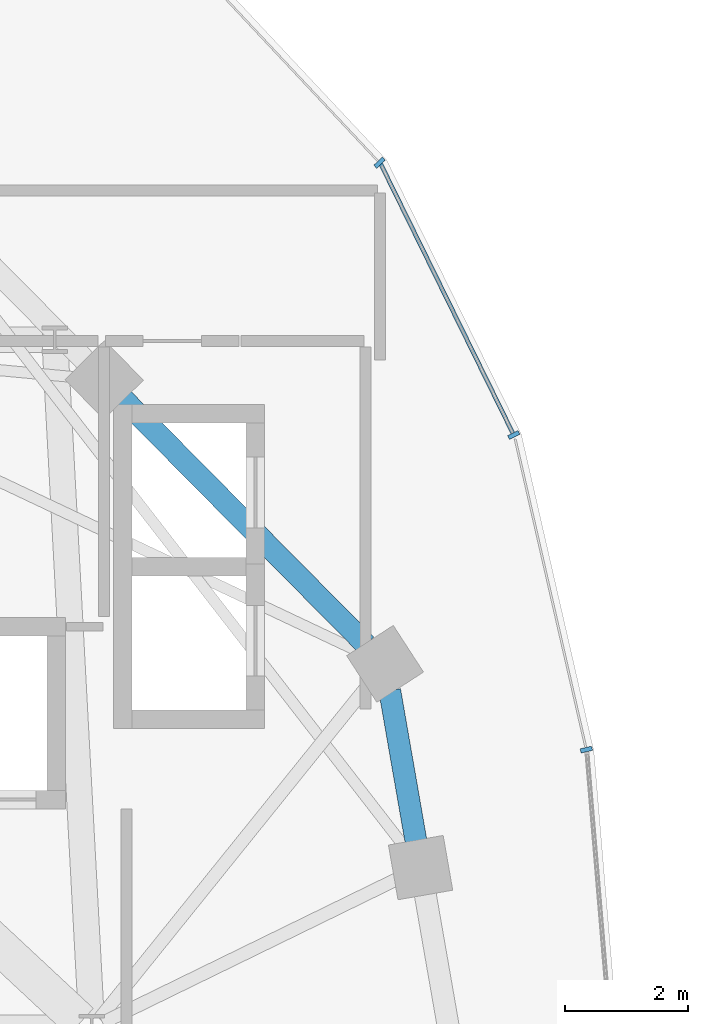
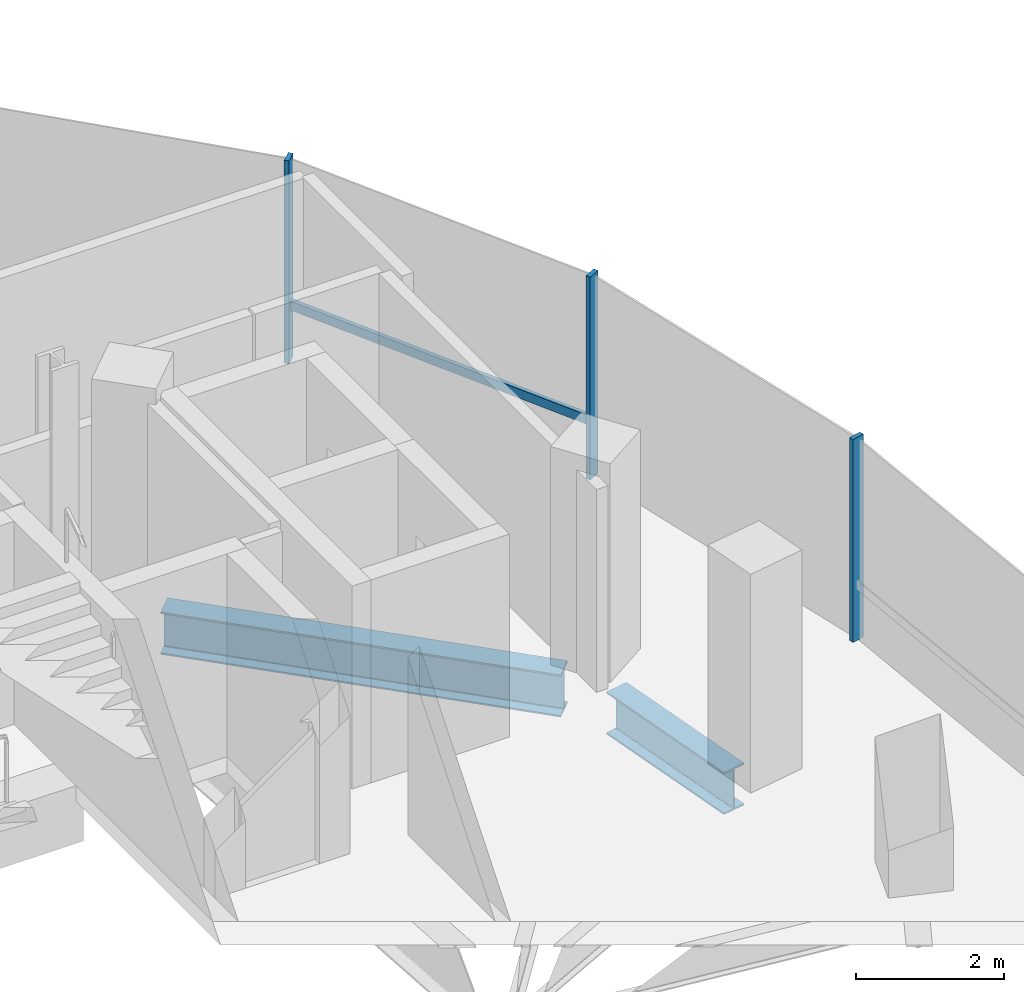
# One storey, part 7 of 25: 4 members, 2 beams, 1 element without a shape of its own.
"""IFC4 building model written with IfcOpenShell, lengths in metres."""

import ifcopenshell
import ifcopenshell.guid

model = None  # the IFC model being written
_history = None  # IfcOwnerHistory: only IFC2X3 demands one
_inside = {}  # id of a spatial element -> (the spatial element, [elements in it])
_under = {}  # id of a project, library or spatial element -> (it, [spatial elements below it])
_declared = {}  # id of a project -> (the project, [libraries it declares])
_typed = {}  # id of a type object -> (the type object, [elements of that type])
_made_of = {}  # id of a material, layer set ... -> (it, [elements and type objects made of it])


def new_model(schema):
    """Start an empty IFC model of exactly this schema.

    Asked for "IFC4X3", IfcOpenShell would pick the latest addendum, in which some entities
    have other attributes; the version numbers below select the first issue.
    IFC2X3 requires an IfcOwnerHistory on every rooted entity: one is made here for all.
    """
    global model, _history
    if schema == "IFC4X3":
        model = ifcopenshell.file(schema_version=(4, 3, 0, 0))
    else:
        model = ifcopenshell.file(schema=schema)
    _inside.clear()
    _under.clear()
    _declared.clear()
    _typed.clear()
    _made_of.clear()
    _history = None
    if model.schema == "IFC2X3":
        org = make("IfcOrganization", Name="unknown")
        user = make(
            "IfcPersonAndOrganization",
            ThePerson=make("IfcPerson", FamilyName="unknown"),
            TheOrganization=org,
        )
        app = make(
            "IfcApplication",
            ApplicationDeveloper=org,
            Version="unknown",
            ApplicationFullName="unknown",
            ApplicationIdentifier="unknown",
        )
        _history = make(
            "IfcOwnerHistory",
            OwningUser=user,
            OwningApplication=app,
            ChangeAction="ADDED",
            CreationDate=0,
        )
    return model


def make(cls, **values):
    """One entity of the class cls with the attributes given. An attribute that is None is left unset."""
    return model.create_entity(
        cls, **{name: value for name, value in values.items() if value is not None}
    )


def rooted(cls, **values):
    """An entity with a GlobalId (a new one), such as an element, a storey or a relation."""
    return make(cls, GlobalId=ifcopenshell.guid.new(), OwnerHistory=_history, **values)


def si_unit(unit_type, name, prefix=None):
    """IfcSIUnit, for example si_unit("LENGTHUNIT", "METRE", prefix="MILLI")."""
    return make("IfcSIUnit", UnitType=unit_type, Prefix=prefix, Name=name)


def assignment(units):
    """IfcUnitAssignment: the units of a project."""
    return None if units is None else make("IfcUnitAssignment", Units=units)


def point(xyz):
    """IfcCartesianPoint."""
    return None if xyz is None else make("IfcCartesianPoint", Coordinates=xyz)


def direction(xyz):
    """IfcDirection."""
    return None if xyz is None else make("IfcDirection", DirectionRatios=xyz)


def frame(location, z_axis=None, x_axis=None):
    """IfcAxis2Placement3D, a coordinate frame: its origin and axes. An axis left out is left unset."""
    return make(
        "IfcAxis2Placement3D",
        Location=point(location),
        Axis=direction(z_axis),
        RefDirection=direction(x_axis),
    )


def frame_2d(location, x_axis=None):
    """IfcAxis2Placement2D, a coordinate frame in the plane: its origin and x axis."""
    return make(
        "IfcAxis2Placement2D", Location=point(location), RefDirection=direction(x_axis)
    )


def origin():
    """The frame at (0, 0, 0) with its axes left unset."""
    return frame((0.0, 0.0, 0.0))


def origin_2d():
    """The frame at (0, 0) in the plane with its x axis left unset."""
    return frame_2d((0.0, 0.0))


def place(relative_to, where):
    """IfcLocalPlacement: puts the frame where relative to a parent placement (None: the world)."""
    return make(
        "IfcLocalPlacement", PlacementRelTo=relative_to, RelativePlacement=where
    )


def context(
    kind, dimensions, precision=None, world=None, true_north=None, identifier=None
):
    """IfcGeometricRepresentationContext, for example the 3D "Model" context."""
    return make(
        "IfcGeometricRepresentationContext",
        ContextIdentifier=identifier,
        ContextType=kind,
        CoordinateSpaceDimension=dimensions,
        Precision=precision,
        WorldCoordinateSystem=world,
        TrueNorth=true_north,
    )


def subcontext(parent, identifier, kind, view, scale=None):
    """IfcGeometricRepresentationSubContext, for example "Body" below "Model"."""
    return make(
        "IfcGeometricRepresentationSubContext",
        ContextIdentifier=identifier,
        ContextType=kind,
        ParentContext=parent,
        TargetScale=scale,
        TargetView=view,
    )


def project(units=None, contexts=None):
    """IfcProject with its units and contexts."""
    return rooted(
        "IfcProject",
        Name="project",
        RepresentationContexts=contexts,
        UnitsInContext=assignment(units),
    )


def spatial(cls, under=None, at=None, **own):
    """A site, building, storey or space (cls), placed at a placement, below another one or the project."""
    s = rooted(cls, ObjectPlacement=at, **own)
    if under is not None:
        _under.setdefault(under.id(), (under, []))[1].append(s)
    return s


def profile(cls, at=None, kind="AREA", **sizes):
    """A parametric profile (cls). Its sizes go by their IFC names, for example OverallWidth=200.0."""
    return make(cls, ProfileType=kind, Position=at, **sizes)


def rectangle(**sizes):
    """IfcRectangleProfileDef."""
    return profile("IfcRectangleProfileDef", **sizes)


def i_section(**sizes):
    """IfcIShapeProfileDef."""
    return profile("IfcIShapeProfileDef", **sizes)


def extrude(swept, where, along, depth):
    """IfcExtrudedAreaSolid: the profile swept, set in the frame where, extruded along a direction by depth."""
    return make(
        "IfcExtrudedAreaSolid",
        SweptArea=swept,
        Position=where,
        ExtrudedDirection=direction(along),
        Depth=depth,
    )


def shape(context_of_items, identifier, shape_type, items):
    """IfcShapeRepresentation: the items that make up one representation, for example the "Body"."""
    return make(
        "IfcShapeRepresentation",
        ContextOfItems=context_of_items,
        RepresentationIdentifier=identifier,
        RepresentationType=shape_type,
        Items=items,
    )


def material(Name=None, Category=None):
    """IfcMaterial."""
    return make("IfcMaterial", Name=Name, Category=Category)


def material_profile(
    of_material, cross_section, Name=None, Category=None, Priority=None
):
    """IfcMaterialProfile: a cross section and its material."""
    return make(
        "IfcMaterialProfile",
        Name=Name,
        Material=of_material,
        Profile=cross_section,
        Priority=Priority,
        Category=Category,
    )


def profile_set(profiles, Name=None, composite=None):
    """IfcMaterialProfileSet."""
    return make(
        "IfcMaterialProfileSet",
        Name=Name,
        MaterialProfiles=profiles,
        CompositeProfile=composite,
    )


def made_of(thing, what):
    """Note that an element or type object is made of a material, layer set ...; save() writes the relation."""
    if what is not None:
        _made_of.setdefault(what.id(), (what, []))[1].append(thing)
    return thing


def type_object(cls, material=None, **own):
    """A type object (cls), such as IfcWallType, which elements share."""
    return made_of(rooted(cls, **own), material)


def element(
    cls,
    number,
    at=None,
    inside=None,
    cuts=None,
    type_object=None,
    material=None,
    context=None,
    identifier="Body",
    shape_type=None,
    held_by="IfcProductDefinitionShape",
    body=None,
    shapes=None,
    **own,
):
    """One element of the class cls, such as IfcWall. Its Tag is "e" and its number.

    at: its placement. inside: the storey or other place that contains it. cuts: it is an
    opening in that element (IfcRelVoidsElement). A single representation is given by context,
    identifier, shape_type and body (its items); several are given by shapes. held_by: the class
    of the entity that holds the representations. save() writes the other relations.
    """
    e = rooted(cls, Tag="e%d" % number, ObjectPlacement=at, **own)
    if body is not None:
        shapes = [shape(context, identifier, shape_type, body)]
    if shapes is not None:
        e.Representation = make(held_by, Representations=shapes)
    if inside is not None:
        _inside.setdefault(inside.id(), (inside, []))[1].append(e)
    if cuts is not None:
        rooted(
            "IfcRelVoidsElement", RelatingBuildingElement=cuts, RelatedOpeningElement=e
        )
    if type_object is not None:
        _typed.setdefault(type_object.id(), (type_object, []))[1].append(e)
    return made_of(e, material)


def aggregate(whole, parts):
    """IfcRelAggregates: a whole, such as a stair, and the parts it consists of."""
    return rooted("IfcRelAggregates", RelatingObject=whole, RelatedObjects=parts)


def save(model, path):
    """Write the relations noted so far, then the file.

    IfcRelAggregates (storeys below a building ...), IfcRelContainedInSpatialStructure (elements
    in a storey), IfcRelDefinesByType, IfcRelAssociatesMaterial and IfcRelDeclares: one each for
    every whole, place, type object, material and project.
    """
    for whole, parts in _under.values():
        aggregate(whole, parts)
    for where, things in _inside.values():
        rooted(
            "IfcRelContainedInSpatialStructure",
            RelatedElements=things,
            RelatingStructure=where,
        )
    for kind, things in _typed.values():
        rooted("IfcRelDefinesByType", RelatedObjects=things, RelatingType=kind)
    for what, things in _made_of.values():
        rooted("IfcRelAssociatesMaterial", RelatedObjects=things, RelatingMaterial=what)
    for by, libraries in _declared.values():
        rooted("IfcRelDeclares", RelatingContext=by, RelatedDefinitions=libraries)
    model.write(path)


model = new_model("IFC4")

# Units and contexts
model_context = context("Model", 3, precision=1e-05, world=origin(), true_north=direction((0.0, 1.0)))
body_context = subcontext(model_context, "Body", "Model", "MODEL_VIEW")
ifc_project = project(units=[si_unit("LENGTHUNIT", "METRE"), si_unit("AREAUNIT", "SQUARE_METRE"), si_unit("VOLUMEUNIT", "CUBIC_METRE"), si_unit("PLANEANGLEUNIT", "RADIAN"), si_unit("MASSUNIT", "GRAM", prefix="KILO"), si_unit("THERMODYNAMICTEMPERATUREUNIT", "KELVIN"), si_unit("POWERUNIT", "WATT")], contexts=[model_context])

# Site, building, storey
site_placement = place(None, origin())
site = spatial("IfcSite", under=ifc_project, at=site_placement, CompositionType="ELEMENT")
building_placement = place(site_placement, origin())
building = spatial("IfcBuilding", under=site, at=building_placement, Name="Cundina Bronze Exchange", CompositionType="ELEMENT")
storey_placement = place(building_placement, frame((0.0, 0.0, 220.60009765625)))
storey = spatial("IfcBuildingStorey", under=building, at=storey_placement, Name="L58", CompositionType="ELEMENT", Elevation=220.60009765625)

# Beams
ifc_material_1 = material(Name="Steel ASTM A992 Grade 50", Category="steel")
ifc_material_profile_1 = material_profile(ifc_material_1, i_section(OverallWidth=0.35498046875, OverallDepth=0.695068359375, WebThickness=0.015380859375, FlangeThickness=0.02490234375, FilletRadius=0.01806640625, at=origin_2d()), Name="W27X146", Category="steel")
ifc_profile_set_1 = profile_set([ifc_material_profile_1], Name="Steel ASTM A992 Grade 50")
beam_type = type_object("IfcBeamType", Name="BM-RING-W27", PredefinedType="USERDEFINED", material=ifc_profile_set_1)
beam_1_placement = place(storey_placement, frame((-16.2001953125, 6.931396484375, -0.607666015625), z_axis=(-0.171628556628, 0.985161732179, 0.0), x_axis=(-0.985161732179, -0.171628556628, 0.0)))
element("IfcBeam", 1, at=beam_1_placement, inside=storey, type_object=beam_type, Name="L58 W Perimeter Ring Girder 01", ObjectType="GIRDER", PredefinedType="USERDEFINED", context=body_context, shape_type="SweptSolid", body=[
    extrude(i_section(OverallWidth=0.35498046875, OverallDepth=0.695068359375, WebThickness=0.015380859375, FlangeThickness=0.02490234375, FilletRadius=0.01806640625, at=origin_2d()), origin(), (0.0, 0.0, 1.0), 2.4736328125),
])
beam_2_placement = place(storey_placement, frame((-17.008056640625, 10.111328125, -0.607666015625), z_axis=(-0.703211928763, 0.710980297368, 0.0), x_axis=(-0.710980297368, -0.703211928763, 0.0)))
element("IfcBeam", 2, at=beam_2_placement, inside=storey, type_object=beam_type, Name="L58 W Perimeter Ring Girder 02", ObjectType="GIRDER", PredefinedType="USERDEFINED", context=body_context, shape_type="SweptSolid", body=[
    extrude(i_section(OverallWidth=0.35498046875, OverallDepth=0.695068359375, WebThickness=0.015380859375, FlangeThickness=0.02490234375, FilletRadius=0.01806640625, at=origin_2d()), origin(), (0.0, 0.0, 1.0), 5.593994140625),
])

# Curtain wall, members
ifc_material_2 = material(Name="Anodised Bronze Aluminium 6063-T6", Category="aluminium")
curtain_wall_type = type_object("IfcCurtainWallType", Name="CWS-UPP-OFF", PredefinedType="NOTDEFINED", material=ifc_material_2)
curtain_wall_placement = place(storey_placement, origin())
curtain_wall = element("IfcCurtainWall", 3, at=curtain_wall_placement, inside=storey, type_object=curtain_wall_type, Name="L58 CW-05 Curtain Wall Run CWR-L58-W1", PredefinedType="NOTDEFINED")
ifc_material_profile_2 = material_profile(ifc_material_2, rectangle(XDim=0.070068359375, YDim=0.18994140625, at=origin_2d()), Name="AL70X190", Category="aluminium")
ifc_profile_set_2 = profile_set([ifc_material_profile_2], Name="Anodised Bronze Aluminium 6063-T6")
member_type_1 = type_object("IfcMemberType", Name="CWM-MUL-190", PredefinedType="MULLION", material=ifc_profile_set_2)
member_1_placement = place(storey_placement, frame((-13.43994140625, 8.4111328125, 0.0), z_axis=(0.0, 0.0, 1.0), x_axis=(-0.223250116011, 0.974761194191, 0.0)))
member_1 = element("IfcMember", 4, at=member_1_placement, type_object=member_type_1, Name="CW-05 Mullion 2", PredefinedType="MULLION", context=body_context, shape_type="SweptSolid", body=[
    extrude(rectangle(XDim=0.070068359375, YDim=0.18994140625, at=origin_2d()), origin(), (0.0, 0.0, 1.0), 3.33984375),
])
member_2_placement = place(storey_placement, frame((-14.61572265625, 13.50732421875, 0.0), z_axis=(0.0, 0.0, 1.0), x_axis=(-0.440566004113, 0.897720221461, 0.0)))
member_2 = element("IfcMember", 5, at=member_2_placement, type_object=member_type_1, Name="CW-05 Mullion 3", PredefinedType="MULLION", context=body_context, shape_type="SweptSolid", body=[
    extrude(rectangle(XDim=0.070068359375, YDim=0.18994140625, at=origin_2d()), origin(), (0.0, 0.0, 1.0), 3.33984375),
])
member_3_placement = place(storey_placement, frame((-16.790283203125, 17.91796875, 0.0), z_axis=(0.0, 0.0, 1.0), x_axis=(-0.684292606175, 0.729207535023, 0.0)))
member_3 = element("IfcMember", 6, at=member_3_placement, type_object=member_type_1, Name="CW-05 Mullion 4", PredefinedType="MULLION", context=body_context, shape_type="SweptSolid", body=[
    extrude(rectangle(XDim=0.070068359375, YDim=0.18994140625, at=origin_2d()), origin(), (0.0, 0.0, 1.0), 3.33984375),
])
ifc_material_profile_3 = material_profile(ifc_material_2, rectangle(XDim=0.06494140625, YDim=0.14990234375, at=origin_2d()), Name="AL65X150", Category="aluminium")
ifc_profile_set_3 = profile_set([ifc_material_profile_3], Name="Anodised Bronze Aluminium 6063-T6")
member_type_2 = type_object("IfcMemberType", Name="CWM-TRN-150", PredefinedType="USERDEFINED", material=ifc_profile_set_3)
member_4_placement = place(storey_placement, frame((-14.6328125, 13.5419921875, 0.919921875), z_axis=(-0.440483110889, 0.897760897467, 0.0), x_axis=(-0.897760897467, -0.440483110889, 0.0)))
member_4 = element("IfcMember", 7, at=member_4_placement, type_object=member_type_2, Name="CW-05 Spandrel Transom 3", ObjectType="TRANSOM", PredefinedType="USERDEFINED", context=body_context, shape_type="SweptSolid", body=[
    extrude(rectangle(XDim=0.06494140625, YDim=0.14990234375, at=origin_2d()), origin(), (0.0, 0.0, 1.0), 4.855224609375),
])
aggregate(curtain_wall, [member_1, member_2, member_4, member_3])

save(model, "model.ifc")
